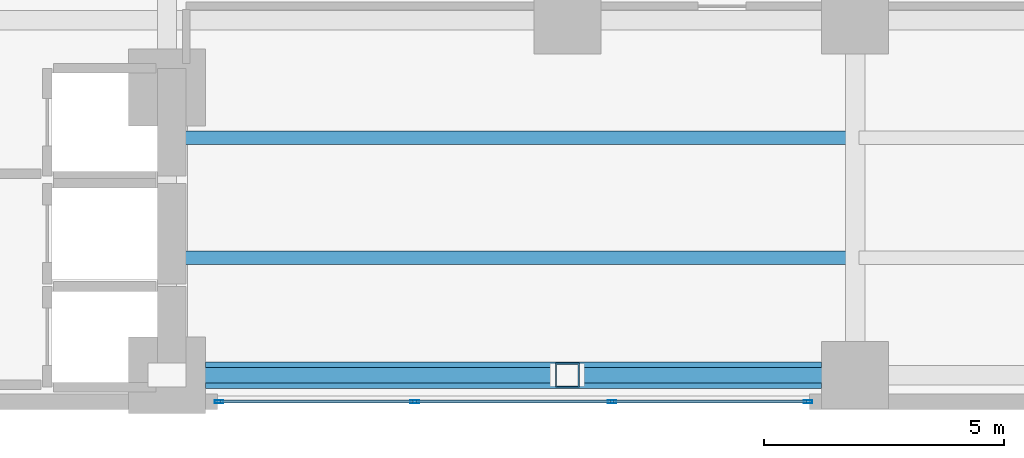
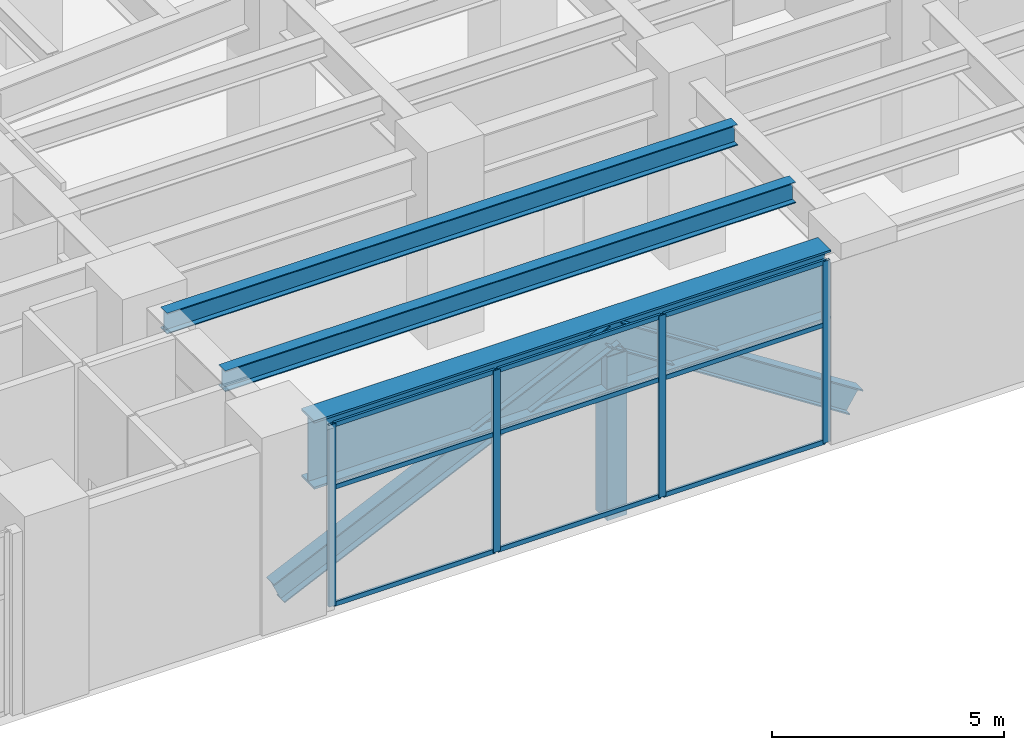
# One storey, part 4 of 29: 14 members, 5 beams, 1 element without a shape of its own.
"""IFC4 building model written with IfcOpenShell, lengths in metres."""

from ifc_helpers import new_model, si_unit, direction, frame, origin, origin_2d, place, context, subcontext, project, spatial, hollow_rectangle, i_section, extrude, material, layer, layer_set, material_profile, profile_set, type_object, element, aggregate, save


model = new_model("IFC4")

# Units and contexts
model_context = context("Model", 3, precision=1e-05, world=origin(), true_north=direction((0.0, 1.0)))
body_context = subcontext(model_context, "Body", "Model", "MODEL_VIEW")
ifc_project = project(units=[si_unit("LENGTHUNIT", "METRE"), si_unit("AREAUNIT", "SQUARE_METRE"), si_unit("VOLUMEUNIT", "CUBIC_METRE"), si_unit("PLANEANGLEUNIT", "RADIAN"), si_unit("MASSUNIT", "GRAM", prefix="KILO")], contexts=[model_context])

# Site, building, storey
site_placement = place(None, origin())
site = spatial("IfcSite", under=ifc_project, at=site_placement, CompositionType="ELEMENT")
building_placement = place(site_placement, origin())
building = spatial("IfcBuilding", under=site, at=building_placement, Name="Mawjaban Terraces University", CompositionType="ELEMENT")
storey_placement = place(building_placement, frame((0.0, 0.0, 20.800048828125)))
storey = spatial("IfcBuildingStorey", under=building, at=storey_placement, Name="L04", CompositionType="ELEMENT", Elevation=20.800048828125)

# Beams
ifc_material_1 = material(Name="Steel ASTM A572 Grade 50", Category="steel")
ifc_material_profile_1 = material_profile(ifc_material_1, i_section(OverallWidth=0.281005859375, OverallDepth=0.551025390625, WebThickness=0.01513671875, FlangeThickness=0.02587890625, at=origin_2d()), Name="W530X182")
ifc_profile_set_1 = profile_set([ifc_material_profile_1], Name="Steel ASTM A572 Grade 50")
beam_type_1 = type_object("IfcBeamType", Name="Beam_J_W530X182", PredefinedType="JOIST", material=ifc_profile_set_1)
for number, where, z_axis, x_axis, name in (
    (1, (37.72998046875, 3.0, 4.50390625), (1.0, 0.0, 0.0), (0.0, 1.0, 0.0), "L04 Composite Joist JST-L04-01"),
    (2, (37.72998046875, 5.5, 4.50390625), (1.0, 0.0, 0.0), (0.0, 1.0, 0.0), "L04 Composite Joist JST-L04-04"),
):
    element("IfcBeam", number, at=place(storey_placement, frame(where, z_axis=z_axis, x_axis=x_axis)), inside=storey, type_object=beam_type_1, Name=name, PredefinedType="JOIST", context=body_context, shape_type="SweptSolid", body=[
        extrude(i_section(OverallWidth=0.281005859375, OverallDepth=0.551025390625, WebThickness=0.01513671875, FlangeThickness=0.02587890625, at=origin_2d()), origin(), (0.0, 0.0, 1.0), 14.18994140625),
    ])
ifc_material_profile_2 = material_profile(ifc_material_1, i_section(OverallWidth=0.550048828125, OverallDepth=1.800048828125, WebThickness=0.031982421875, FlangeThickness=0.054931640625, at=origin_2d()), Name="PG1800X550")
ifc_profile_set_2 = profile_set([ifc_material_profile_2], Name="Steel ASTM A572 Grade 50")
beam_type_2 = type_object("IfcBeamType", Name="Beam_TG_PG1800X550", PredefinedType="BEAM", material=ifc_profile_set_2)
beam_1_placement = place(storey_placement, frame((38.449951171875, 0.550048828125, 3.8798828125), z_axis=(1.0, 0.0, 0.0), x_axis=(0.0, 1.0, 0.0)))
element("IfcBeam", 3, at=beam_1_placement, inside=storey, type_object=beam_type_2, Name="L04 Beam BM-L04-EW-01", PredefinedType="BEAM", context=body_context, shape_type="SweptSolid", body=[
    extrude(i_section(OverallWidth=0.550048828125, OverallDepth=1.800048828125, WebThickness=0.031982421875, FlangeThickness=0.054931640625, at=origin_2d()), origin(), (0.0, 0.0, 1.0), 12.85009765625),
])
ifc_material_2 = material(Name="Steel ASTM A913 Grade 65", Category="steel")
ifc_material_profile_3 = material_profile(ifc_material_2, i_section(OverallWidth=0.3291015625, OverallDepth=0.635009765625, WebThickness=0.017822265625, FlangeThickness=0.031005859375, at=origin_2d()), Name="W610X241")
ifc_profile_set_3 = profile_set([ifc_material_profile_3], Name="Steel ASTM A913 Grade 65")
beam_type_3 = type_object("IfcBeamType", Name="Beam_TTV_W610X241", PredefinedType="BEAM", material=ifc_profile_set_3)
beam_2_placement = place(storey_placement, frame((37.64990234375, 0.550048828125, 0.449951171875), z_axis=(0.906882331361, 0.0, 0.421383954447), x_axis=(0.0, 1.0, 0.0)))
element("IfcBeam", 4, at=beam_2_placement, inside=storey, type_object=beam_type_3, Name="L04 Exterior Portal Strut TP-S1-1", PredefinedType="BEAM", context=body_context, shape_type="SweptSolid", body=[
    extrude(i_section(OverallWidth=0.3291015625, OverallDepth=0.635009765625, WebThickness=0.017822265625, FlangeThickness=0.031005859375, at=origin_2d()), origin(), (0.0, 0.0, 1.0), 9.20751953125),
])
beam_3_placement = place(storey_placement, frame((52.0, 0.550048828125, 0.449951171875), z_axis=(-0.83972779743, 0.0, 0.543007574738), x_axis=(0.0, -1.0, 0.0)))
element("IfcBeam", 5, at=beam_3_placement, inside=storey, type_object=beam_type_3, Name="L04 Exterior Portal Strut TP-S1-2", PredefinedType="BEAM", context=body_context, shape_type="SweptSolid", body=[
    extrude(i_section(OverallWidth=0.3291015625, OverallDepth=0.635009765625, WebThickness=0.017822265625, FlangeThickness=0.031005859375, at=origin_2d()), origin(), (0.0, 0.0, 1.0), 7.145263671875),
])

# Member
ifc_material_3 = material(Name="Steel EN 10210-1 S355J2H", Category="steel")
ifc_material_profile_4 = material_profile(ifc_material_3, hollow_rectangle(XDim=0.5, YDim=0.5, WallThickness=0.02490234375, at=origin_2d()), Name="SHS500X500X25")
ifc_profile_set_4 = profile_set([ifc_material_profile_4], Name="Steel EN 10210-1 S355J2H")
member_type_1 = type_object("IfcMemberType", Name="Mem_STRUT_SHS500X500X25", PredefinedType="STRUT", material=ifc_profile_set_4)
member_1_placement = place(storey_placement, frame((46.0, 0.550048828125, -0.420166015625), z_axis=(0.0, 0.0, 1.0), x_axis=(1.0, 0.0, 0.0)))
element("IfcMember", 6, at=member_1_placement, inside=storey, type_object=member_type_1, Name="L04 Portal Vertical Strut TP-S1", PredefinedType="STRUT", context=body_context, shape_type="SweptSolid", body=[
    extrude(hollow_rectangle(XDim=0.5, YDim=0.5, WallThickness=0.02490234375, at=origin_2d()), origin(), (0.0, 0.0, 1.0), 4.300048828125),
])

# Curtain wall, members
ifc_material_4 = material(Name="Anodised aluminium 6063-T6 and solar-control low-E glass", Category="aluminium")
ifc_layer = layer(ifc_material_4, 0.175048828125)
ifc_layer_set = layer_set([ifc_layer], Name="Anodised aluminium 6063-T6 and solar-control low-E glass")
curtain_wall_type = type_object("IfcCurtainWallType", Name="CWSystem_02_PodiumLibrary", PredefinedType="NOTDEFINED", material=ifc_layer_set)
curtain_wall_placement = place(storey_placement, origin())
curtain_wall = element("IfcCurtainWall", 7, at=curtain_wall_placement, inside=storey, type_object=curtain_wall_type, Name="L04 Curtain Wall CW-02 Run 1.2", PredefinedType="NOTDEFINED")
ifc_material_5 = material(Name="Anodised aluminium 6063-T6", Category="aluminium")
ifc_material_profile_5 = material_profile(ifc_material_5, hollow_rectangle(XDim=0.06494140625, YDim=0.179931640625, WallThickness=0.00390625, at=origin_2d()), Name="ALU180X65X4")
ifc_profile_set_5 = profile_set([ifc_material_profile_5], Name="Anodised aluminium 6063-T6")
member_type_2 = type_object("IfcMemberType", Name="Mullion_CW-02", PredefinedType="MULLION", material=ifc_profile_set_5)
member_2_placement = place(storey_placement, frame((38.732421875, 0.0, 0.0), z_axis=(0.0, 0.0, 1.0), x_axis=(0.0, 1.0, 0.0)))
member_2 = element("IfcMember", 8, at=member_2_placement, type_object=member_type_2, Name="CW-02 mullion 1", PredefinedType="MULLION", context=body_context, shape_type="SweptSolid", body=[
    extrude(hollow_rectangle(XDim=0.06494140625, YDim=0.179931640625, WallThickness=0.00390625, at=origin_2d()), origin(), (0.0, 0.0, 1.0), 4.780029296875),
])
member_3_placement = place(storey_placement, frame((42.816650390625, 0.0, 0.0), z_axis=(0.0, 0.0, 1.0), x_axis=(0.0, 1.0, 0.0)))
member_3 = element("IfcMember", 9, at=member_3_placement, type_object=member_type_2, Name="CW-02 mullion 2", PredefinedType="MULLION", context=body_context, shape_type="SweptSolid", body=[
    extrude(hollow_rectangle(XDim=0.06494140625, YDim=0.179931640625, WallThickness=0.00390625, at=origin_2d()), origin(), (0.0, 0.0, 1.0), 4.780029296875),
])
member_4_placement = place(storey_placement, frame((46.933349609375, 0.0, 0.0), z_axis=(0.0, 0.0, 1.0), x_axis=(0.0, 1.0, 0.0)))
member_4 = element("IfcMember", 10, at=member_4_placement, type_object=member_type_2, Name="CW-02 mullion 3", PredefinedType="MULLION", context=body_context, shape_type="SweptSolid", body=[
    extrude(hollow_rectangle(XDim=0.06494140625, YDim=0.179931640625, WallThickness=0.00390625, at=origin_2d()), origin(), (0.0, 0.0, 1.0), 4.780029296875),
])
member_5_placement = place(storey_placement, frame((51.017578125, 0.0, 0.0), z_axis=(0.0, 0.0, 1.0), x_axis=(0.0, 1.0, 0.0)))
member_5 = element("IfcMember", 11, at=member_5_placement, type_object=member_type_2, Name="CW-02 mullion 4", PredefinedType="MULLION", context=body_context, shape_type="SweptSolid", body=[
    extrude(hollow_rectangle(XDim=0.06494140625, YDim=0.179931640625, WallThickness=0.00390625, at=origin_2d()), origin(), (0.0, 0.0, 1.0), 4.780029296875),
])
ifc_material_profile_6 = material_profile(ifc_material_5, hollow_rectangle(XDim=0.06005859375, YDim=0.1201171875, WallThickness=0.00341796875, at=origin_2d()), Name="ALU120X60X3.5")
ifc_profile_set_6 = profile_set([ifc_material_profile_6], Name="Anodised aluminium 6063-T6")
member_type_3 = type_object("IfcMemberType", Name="Transom_CW-02", PredefinedType="NOTDEFINED", material=ifc_profile_set_6)
member_6_placement = place(storey_placement, frame((38.764892578125, 0.0, 0.030029296875), z_axis=(1.0, 0.0, 0.0), x_axis=(0.0, 1.0, 0.0)))
member_6 = element("IfcMember", 12, at=member_6_placement, type_object=member_type_3, Name="CW-02 transom 1.1", ObjectType="TRANSOM", PredefinedType="USERDEFINED", context=body_context, shape_type="SweptSolid", body=[
    extrude(hollow_rectangle(XDim=0.06005859375, YDim=0.1201171875, WallThickness=0.00341796875, at=origin_2d()), origin(), (0.0, 0.0, 1.0), 4.019287109375),
])
member_7_placement = place(storey_placement, frame((38.764892578125, 0.0, 3.10693359375), z_axis=(1.0, 0.0, 0.0), x_axis=(0.0, 1.0, 0.0)))
member_7 = element("IfcMember", 13, at=member_7_placement, type_object=member_type_3, Name="CW-02 transom 1.2", ObjectType="TRANSOM", PredefinedType="USERDEFINED", context=body_context, shape_type="SweptSolid", body=[
    extrude(hollow_rectangle(XDim=0.06005859375, YDim=0.1201171875, WallThickness=0.00341796875, at=origin_2d()), origin(), (0.0, 0.0, 1.0), 4.019287109375),
])
member_8_placement = place(storey_placement, frame((38.764892578125, 0.0, 4.75), z_axis=(1.0, 0.0, 0.0), x_axis=(0.0, 1.0, 0.0)))
member_8 = element("IfcMember", 14, at=member_8_placement, type_object=member_type_3, Name="CW-02 transom 1.3", ObjectType="TRANSOM", PredefinedType="USERDEFINED", context=body_context, shape_type="SweptSolid", body=[
    extrude(hollow_rectangle(XDim=0.06005859375, YDim=0.1201171875, WallThickness=0.00341796875, at=origin_2d()), origin(), (0.0, 0.0, 1.0), 4.019287109375),
])
member_9_placement = place(storey_placement, frame((42.84912109375, 0.0, 0.030029296875), z_axis=(1.0, 0.0, 0.0), x_axis=(0.0, 1.0, 0.0)))
member_9 = element("IfcMember", 15, at=member_9_placement, type_object=member_type_3, Name="CW-02 transom 2.1", ObjectType="TRANSOM", PredefinedType="USERDEFINED", context=body_context, shape_type="SweptSolid", body=[
    extrude(hollow_rectangle(XDim=0.06005859375, YDim=0.1201171875, WallThickness=0.00341796875, at=origin_2d()), origin(), (0.0, 0.0, 1.0), 4.0517578125),
])
member_10_placement = place(storey_placement, frame((42.84912109375, 0.0, 3.10693359375), z_axis=(1.0, 0.0, 0.0), x_axis=(0.0, 1.0, 0.0)))
member_10 = element("IfcMember", 16, at=member_10_placement, type_object=member_type_3, Name="CW-02 transom 2.2", ObjectType="TRANSOM", PredefinedType="USERDEFINED", context=body_context, shape_type="SweptSolid", body=[
    extrude(hollow_rectangle(XDim=0.06005859375, YDim=0.1201171875, WallThickness=0.00341796875, at=origin_2d()), origin(), (0.0, 0.0, 1.0), 4.0517578125),
])
member_11_placement = place(storey_placement, frame((42.84912109375, 0.0, 4.75), z_axis=(1.0, 0.0, 0.0), x_axis=(0.0, 1.0, 0.0)))
member_11 = element("IfcMember", 17, at=member_11_placement, type_object=member_type_3, Name="CW-02 transom 2.3", ObjectType="TRANSOM", PredefinedType="USERDEFINED", context=body_context, shape_type="SweptSolid", body=[
    extrude(hollow_rectangle(XDim=0.06005859375, YDim=0.1201171875, WallThickness=0.00341796875, at=origin_2d()), origin(), (0.0, 0.0, 1.0), 4.0517578125),
])
member_12_placement = place(storey_placement, frame((46.9658203125, 0.0, 0.030029296875), z_axis=(1.0, 0.0, 0.0), x_axis=(0.0, 1.0, 0.0)))
member_12 = element("IfcMember", 18, at=member_12_placement, type_object=member_type_3, Name="CW-02 transom 3.1", ObjectType="TRANSOM", PredefinedType="USERDEFINED", context=body_context, shape_type="SweptSolid", body=[
    extrude(hollow_rectangle(XDim=0.06005859375, YDim=0.1201171875, WallThickness=0.00341796875, at=origin_2d()), origin(), (0.0, 0.0, 1.0), 4.019287109375),
])
member_13_placement = place(storey_placement, frame((46.9658203125, 0.0, 3.10693359375), z_axis=(1.0, 0.0, 0.0), x_axis=(0.0, 1.0, 0.0)))
member_13 = element("IfcMember", 19, at=member_13_placement, type_object=member_type_3, Name="CW-02 transom 3.2", ObjectType="TRANSOM", PredefinedType="USERDEFINED", context=body_context, shape_type="SweptSolid", body=[
    extrude(hollow_rectangle(XDim=0.06005859375, YDim=0.1201171875, WallThickness=0.00341796875, at=origin_2d()), origin(), (0.0, 0.0, 1.0), 4.019287109375),
])
member_14_placement = place(storey_placement, frame((46.9658203125, 0.0, 4.75), z_axis=(1.0, 0.0, 0.0), x_axis=(0.0, 1.0, 0.0)))
member_14 = element("IfcMember", 20, at=member_14_placement, type_object=member_type_3, Name="CW-02 transom 3.3", ObjectType="TRANSOM", PredefinedType="USERDEFINED", context=body_context, shape_type="SweptSolid", body=[
    extrude(hollow_rectangle(XDim=0.06005859375, YDim=0.1201171875, WallThickness=0.00341796875, at=origin_2d()), origin(), (0.0, 0.0, 1.0), 4.019287109375),
])
aggregate(curtain_wall, [member_2, member_3, member_4, member_5, member_6, member_7, member_8, member_9, member_10, member_11, member_12, member_13, member_14])

save(model, "model.ifc")
